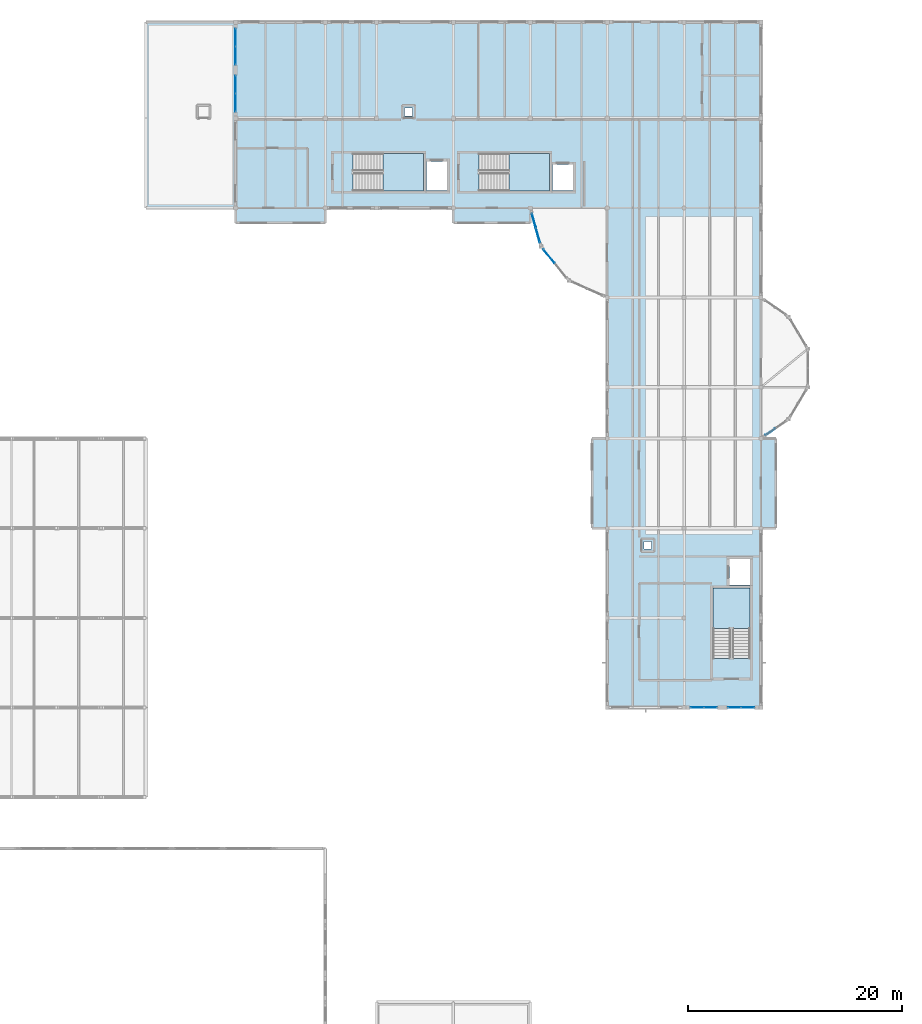
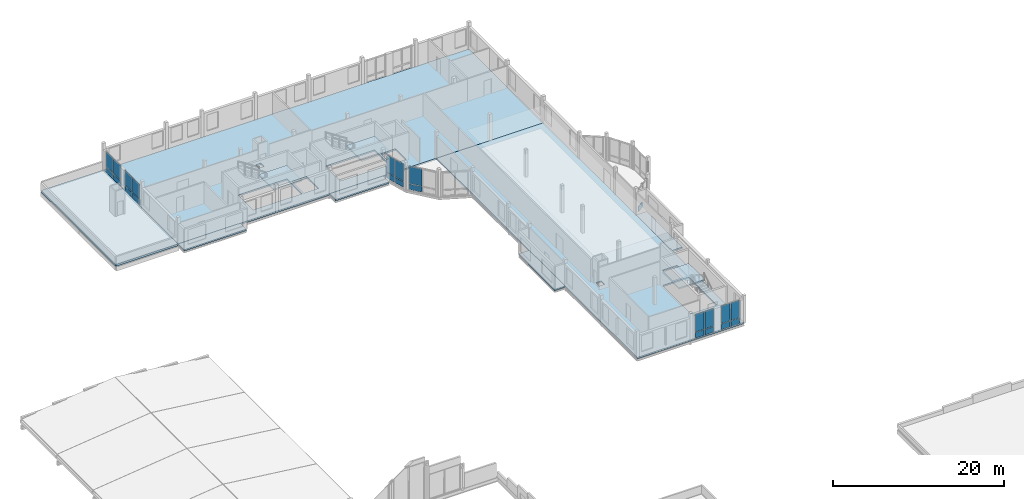
# One storey, part 21 of 34: 23 plates, 10 slabs, 10 elements without a shape of their own.
"""IFC4 building model written with IfcOpenShell, lengths in metres."""

from ifc_helpers import new_model, si_unit, direction, frame, origin, origin_2d, place, context, subcontext, project, spatial, polyline, rectangle, outline, extrude, material, layer, layer_set, type_object, element, aggregate, save


model = new_model("IFC4")

# Units and contexts
model_context = context("Model", 3, precision=1e-05, world=origin(), true_north=direction((0.0, 1.0)))
body_context = subcontext(model_context, "Body", "Model", "MODEL_VIEW")
ifc_project = project(units=[si_unit("LENGTHUNIT", "METRE"), si_unit("AREAUNIT", "SQUARE_METRE"), si_unit("VOLUMEUNIT", "CUBIC_METRE"), si_unit("PLANEANGLEUNIT", "RADIAN"), si_unit("MASSUNIT", "GRAM", prefix="KILO")], contexts=[model_context])

# Site, building, storey
site_placement = place(None, origin())
site = spatial("IfcSite", under=ifc_project, at=site_placement, CompositionType="ELEMENT")
building_placement = place(site_placement, origin())
building = spatial("IfcBuilding", under=site, at=building_placement, Name="Kahlenmark Community Centre", CompositionType="ELEMENT")
storey_placement = place(building_placement, frame((0.0, 0.0, 17.699951171875)))
storey = spatial("IfcBuildingStorey", under=building, at=storey_placement, Name="L04", CompositionType="ELEMENT", Elevation=17.699951171875)

# Curtain wall, plates
ifc_material_1 = material(Name="Anodised aluminium unitised curtain wall", Category="aluminium")
curtain_wall_type_1 = type_object("IfcCurtainWallType", Name="CWT-UNIT-254X342", PredefinedType="USERDEFINED", material=ifc_material_1)
curtain_wall_1_placement = place(storey_placement, origin())
curtain_wall_1 = element("IfcCurtainWall", 1, at=curtain_wall_1_placement, inside=storey, type_object=curtain_wall_type_1, Name="Unitised curtain wall CW-137", ObjectType="UNITISED CURTAIN WALL", PredefinedType="USERDEFINED")
ifc_material_2 = material(Name="Triple low-e solar-control glass unit", Category="glass")
ifc_layer_1 = layer(ifc_material_2, 0.0439453125)
ifc_layer_set_1 = layer_set([ifc_layer_1], Name="Triple low-e solar-control glass unit")
plate_type_1 = type_object("IfcPlateType", Name="PLT-CW-GLZ-1190X2490", PredefinedType="CURTAIN_PANEL", material=ifc_layer_set_1)
plate_1_placement = place(storey_placement, frame((80.81494140625, 50.800048828125, 0.89013671875), z_axis=(0.0, 0.0, 1.0), x_axis=(1.0, 0.0, 0.0)))
plate_1 = element("IfcPlate", 2, at=plate_1_placement, type_object=plate_type_1, Name="CW-137 glazed panel 1", PredefinedType="CURTAIN_PANEL", context=body_context, shape_type="SweptSolid", body=[
    extrude(rectangle(XDim=1.18994140625, YDim=0.0439453125, at=origin_2d()), origin(), (0.0, 0.0, 1.0), 2.489990234375),
])
plate_2_placement = place(storey_placement, frame((82.0849609375, 50.800048828125, 0.89013671875), z_axis=(0.0, 0.0, 1.0), x_axis=(1.0, 0.0, 0.0)))
plate_2 = element("IfcPlate", 3, at=plate_2_placement, type_object=plate_type_1, Name="CW-137 glazed panel 2", PredefinedType="CURTAIN_PANEL", context=body_context, shape_type="SweptSolid", body=[
    extrude(rectangle(XDim=1.18994140625, YDim=0.0439453125, at=origin_2d()), origin(), (0.0, 0.0, 1.0), 2.489990234375),
])

curtain_wall_2_placement = place(storey_placement, origin())
curtain_wall_2 = element("IfcCurtainWall", 4, at=curtain_wall_2_placement, inside=storey, type_object=curtain_wall_type_1, Name="Unitised curtain wall CW-138", ObjectType="UNITISED CURTAIN WALL", PredefinedType="USERDEFINED")
plate_3_placement = place(storey_placement, frame((84.31494140625, 50.800048828125, 0.89013671875), z_axis=(0.0, 0.0, 1.0), x_axis=(1.0, 0.0, 0.0)))
plate_3 = element("IfcPlate", 5, at=plate_3_placement, type_object=plate_type_1, Name="CW-138 glazed panel 1", PredefinedType="CURTAIN_PANEL", context=body_context, shape_type="SweptSolid", body=[
    extrude(rectangle(XDim=1.18994140625, YDim=0.0439453125, at=origin_2d()), origin(), (0.0, 0.0, 1.0), 2.489990234375),
])
plate_4_placement = place(storey_placement, frame((85.5849609375, 50.800048828125, 0.89013671875), z_axis=(0.0, 0.0, 1.0), x_axis=(1.0, 0.0, 0.0)))
plate_4 = element("IfcPlate", 6, at=plate_4_placement, type_object=plate_type_1, Name="CW-138 glazed panel 2", PredefinedType="CURTAIN_PANEL", context=body_context, shape_type="SweptSolid", body=[
    extrude(rectangle(XDim=1.18994140625, YDim=0.0439453125, at=origin_2d()), origin(), (0.0, 0.0, 1.0), 2.489990234375),
])

curtain_wall_type_2 = type_object("IfcCurtainWallType", Name="CWT-UNIT-290X339", PredefinedType="USERDEFINED", material=ifc_material_1)
curtain_wall_3_placement = place(storey_placement, origin())
curtain_wall_3 = element("IfcCurtainWall", 7, at=curtain_wall_3_placement, inside=storey, type_object=curtain_wall_type_2, Name="Unitised curtain wall CW-185", ObjectType="UNITISED CURTAIN WALL", PredefinedType="USERDEFINED")
ifc_layer_2 = layer(ifc_material_2, 0.0439453125)
ifc_layer_set_2 = layer_set([ifc_layer_2], Name="Triple low-e solar-control glass unit")
plate_type_2 = type_object("IfcPlateType", Name="PLT-CW-GLZ-1368X2460", PredefinedType="CURTAIN_PANEL", material=ifc_layer_set_2)
plate_5_placement = place(storey_placement, frame((65.527587890625, 96.420654296875, 0.89013671875), z_axis=(0.0, 0.0, 1.0), x_axis=(0.26765376878, -0.963515158188, 0.0)))
plate_5 = element("IfcPlate", 8, at=plate_5_placement, type_object=plate_type_2, Name="CW-185 glazed panel 1", PredefinedType="CURTAIN_PANEL", context=body_context, shape_type="SweptSolid", body=[
    extrude(rectangle(XDim=1.3681640625, YDim=0.0439453125, at=origin_2d()), origin(), (0.0, 0.0, 1.0), 2.4599609375),
])
plate_6_placement = place(storey_placement, frame((65.915283203125, 95.025146484375, 0.89013671875), z_axis=(0.0, 0.0, 1.0), x_axis=(0.26765376878, -0.963515158188, 0.0)))
plate_6 = element("IfcPlate", 9, at=plate_6_placement, type_object=plate_type_2, Name="CW-185 glazed panel 2", PredefinedType="CURTAIN_PANEL", context=body_context, shape_type="SweptSolid", body=[
    extrude(rectangle(XDim=1.3681640625, YDim=0.0439453125, at=origin_2d()), origin(), (0.0, 0.0, 1.0), 2.4599609375),
])

curtain_wall_type_3 = type_object("IfcCurtainWallType", Name="CWT-UNIT-344X301", PredefinedType="USERDEFINED", material=ifc_material_1)
curtain_wall_4_placement = place(storey_placement, origin())
curtain_wall_4 = element("IfcCurtainWall", 10, at=curtain_wall_4_placement, inside=storey, type_object=curtain_wall_type_3, Name="Unitised curtain wall CW-135", ObjectType="UNITISED CURTAIN WALL", PredefinedType="USERDEFINED")
ifc_layer_3 = layer(ifc_material_2, 0.0439453125)
ifc_layer_set_3 = layer_set([ifc_layer_3], Name="Triple low-e solar-control glass unit")
plate_type_3 = type_object("IfcPlateType", Name="PLT-CW-GLZ-1640X2080", PredefinedType="CURTAIN_PANEL", material=ifc_layer_set_3)
plate_7_placement = place(storey_placement, frame((37.60009765625, 113.56005859375, 0.889892578125), z_axis=(0.0, 0.0, 1.0), x_axis=(0.0, -1.0, 0.0)))
plate_7 = element("IfcPlate", 11, at=plate_7_placement, type_object=plate_type_3, Name="CW-135 glazed panel 1", PredefinedType="CURTAIN_PANEL", context=body_context, shape_type="SweptSolid", body=[
    extrude(rectangle(XDim=1.639892578125, YDim=0.0439453125, at=origin_2d()), origin(), (0.0, 0.0, 1.0), 2.080078125),
])
plate_8_placement = place(storey_placement, frame((37.60009765625, 111.840087890625, 0.889892578125), z_axis=(0.0, 0.0, 1.0), x_axis=(0.0, -1.0, 0.0)))
plate_8 = element("IfcPlate", 12, at=plate_8_placement, type_object=plate_type_3, Name="CW-135 glazed panel 2", PredefinedType="CURTAIN_PANEL", context=body_context, shape_type="SweptSolid", body=[
    extrude(rectangle(XDim=1.639892578125, YDim=0.0439453125, at=origin_2d()), origin(), (0.0, 0.0, 1.0), 2.080078125),
])

curtain_wall_5_placement = place(storey_placement, origin())
curtain_wall_5 = element("IfcCurtainWall", 13, at=curtain_wall_5_placement, inside=storey, type_object=curtain_wall_type_3, Name="Unitised curtain wall CW-136", ObjectType="UNITISED CURTAIN WALL", PredefinedType="USERDEFINED")
plate_9_placement = place(storey_placement, frame((37.60009765625, 109.159912109375, 0.889892578125), z_axis=(0.0, 0.0, 1.0), x_axis=(0.0, -1.0, 0.0)))
plate_9 = element("IfcPlate", 14, at=plate_9_placement, type_object=plate_type_3, Name="CW-136 glazed panel 1", PredefinedType="CURTAIN_PANEL", context=body_context, shape_type="SweptSolid", body=[
    extrude(rectangle(XDim=1.639892578125, YDim=0.0439453125, at=origin_2d()), origin(), (0.0, 0.0, 1.0), 2.080078125),
])
plate_10_placement = place(storey_placement, frame((37.60009765625, 107.43994140625, 0.889892578125), z_axis=(0.0, 0.0, 1.0), x_axis=(0.0, -1.0, 0.0)))
plate_10 = element("IfcPlate", 15, at=plate_10_placement, type_object=plate_type_3, Name="CW-136 glazed panel 2", PredefinedType="CURTAIN_PANEL", context=body_context, shape_type="SweptSolid", body=[
    extrude(rectangle(XDim=1.639892578125, YDim=0.0439453125, at=origin_2d()), origin(), (0.0, 0.0, 1.0), 2.080078125),
])

# Curtain wall, plate
curtain_wall_type_4 = type_object("IfcCurtainWallType", Name="CWT-UNIT-344X339", PredefinedType="USERDEFINED", material=ifc_material_1)
curtain_wall_6_placement = place(storey_placement, origin())
curtain_wall_6 = element("IfcCurtainWall", 16, at=curtain_wall_6_placement, inside=storey, type_object=curtain_wall_type_4, Name="Unitised curtain wall CW-186", ObjectType="UNITISED CURTAIN WALL", PredefinedType="USERDEFINED")
ifc_layer_4 = layer(ifc_material_2, 0.0439453125)
ifc_layer_set_4 = layer_set([ifc_layer_4], Name="Triple low-e solar-control glass unit")
plate_type_4 = type_object("IfcPlateType", Name="PLT-CW-GLZ-1642X2460", PredefinedType="CURTAIN_PANEL", material=ifc_layer_set_4)
plate_11_placement = place(storey_placement, frame((66.957275390625, 93.068115234375, 0.89013671875), z_axis=(0.0, 0.0, 1.0), x_axis=(0.63059860029, -0.776109145231, 0.0)))
plate_11 = element("IfcPlate", 17, at=plate_11_placement, type_object=plate_type_4, Name="CW-186 glazed panel 1", PredefinedType="CURTAIN_PANEL", context=body_context, shape_type="SweptSolid", body=[
    extrude(rectangle(XDim=1.6416015625, YDim=0.0439453125, at=origin_2d()), origin(), (0.0, 0.0, 1.0), 2.4599609375),
])

curtain_wall_type_5 = type_object("IfcCurtainWallType", Name="CWT-UNIT-232X332", PredefinedType="USERDEFINED", material=ifc_material_1)
curtain_wall_7_placement = place(storey_placement, origin())
curtain_wall_7 = element("IfcCurtainWall", 18, at=curtain_wall_7_placement, inside=storey, type_object=curtain_wall_type_5, Name="Unitised curtain wall CW-166", ObjectType="UNITISED CURTAIN WALL", PredefinedType="USERDEFINED")
ifc_material_3 = material(Name="Warm terracotta insulated spandrel cassette", Category="masonry")
ifc_layer_5 = layer(ifc_material_3, 0.06005859375)
ifc_layer_set_5 = layer_set([ifc_layer_5], Name="Warm terracotta insulated spandrel cassette")
plate_type_5 = type_object("IfcPlateType", Name="PLT-CW-SPD-1081X770", PredefinedType="CURTAIN_PANEL", material=ifc_layer_set_5)
plate_12_placement = place(storey_placement, frame((87.6884765625, 76.614990234375, 0.0400390625), z_axis=(0.0, 0.0, 1.0), x_axis=(0.822190736534, 0.56921208065, 0.0)))
plate_12 = element("IfcPlate", 19, at=plate_12_placement, type_object=plate_type_5, Name="CW-166 spandrel 1", PredefinedType="CURTAIN_PANEL", context=body_context, shape_type="SweptSolid", body=[
    extrude(rectangle(XDim=1.081298828125, YDim=0.06005859375, at=origin_2d()), origin(), (0.0, 0.0, 1.0), 0.77001953125),
])
aggregate(curtain_wall_7, [plate_12])

# Plate
ifc_layer_6 = layer(ifc_material_3, 0.06005859375)
ifc_layer_set_6 = layer_set([ifc_layer_6], Name="Warm terracotta insulated spandrel cassette")
plate_type_6 = type_object("IfcPlateType", Name="PLT-CW-SPD-1190X770", PredefinedType="CURTAIN_PANEL", material=ifc_layer_set_6)
plate_13_placement = place(storey_placement, frame((80.81494140625, 50.800048828125, 0.0400390625), z_axis=(0.0, 0.0, 1.0), x_axis=(1.0, 0.0, 0.0)))
plate_13 = element("IfcPlate", 20, at=plate_13_placement, type_object=plate_type_6, Name="CW-137 spandrel 1", PredefinedType="CURTAIN_PANEL", context=body_context, shape_type="SweptSolid", body=[
    extrude(rectangle(XDim=1.18994140625, YDim=0.06005859375, at=origin_2d()), origin(), (0.0, 0.0, 1.0), 0.77001953125),
])

plate_14_placement = place(storey_placement, frame((82.0849609375, 50.800048828125, 0.0400390625), z_axis=(0.0, 0.0, 1.0), x_axis=(1.0, 0.0, 0.0)))
plate_14 = element("IfcPlate", 21, at=plate_14_placement, type_object=plate_type_6, Name="CW-137 spandrel 2", PredefinedType="CURTAIN_PANEL", context=body_context, shape_type="SweptSolid", body=[
    extrude(rectangle(XDim=1.18994140625, YDim=0.06005859375, at=origin_2d()), origin(), (0.0, 0.0, 1.0), 0.77001953125),
])

aggregate(curtain_wall_1, [plate_13, plate_1, plate_14, plate_2])

plate_15_placement = place(storey_placement, frame((84.31494140625, 50.800048828125, 0.0400390625), z_axis=(0.0, 0.0, 1.0), x_axis=(1.0, 0.0, 0.0)))
plate_15 = element("IfcPlate", 22, at=plate_15_placement, type_object=plate_type_6, Name="CW-138 spandrel 1", PredefinedType="CURTAIN_PANEL", context=body_context, shape_type="SweptSolid", body=[
    extrude(rectangle(XDim=1.18994140625, YDim=0.06005859375, at=origin_2d()), origin(), (0.0, 0.0, 1.0), 0.77001953125),
])

plate_16_placement = place(storey_placement, frame((85.5849609375, 50.800048828125, 0.0400390625), z_axis=(0.0, 0.0, 1.0), x_axis=(1.0, 0.0, 0.0)))
plate_16 = element("IfcPlate", 23, at=plate_16_placement, type_object=plate_type_6, Name="CW-138 spandrel 2", PredefinedType="CURTAIN_PANEL", context=body_context, shape_type="SweptSolid", body=[
    extrude(rectangle(XDim=1.18994140625, YDim=0.06005859375, at=origin_2d()), origin(), (0.0, 0.0, 1.0), 0.77001953125),
])

aggregate(curtain_wall_2, [plate_15, plate_3, plate_16, plate_4])

ifc_layer_7 = layer(ifc_material_3, 0.06005859375)
ifc_layer_set_7 = layer_set([ifc_layer_7], Name="Warm terracotta insulated spandrel cassette")
plate_type_7 = type_object("IfcPlateType", Name="PLT-CW-SPD-1368X770", PredefinedType="CURTAIN_PANEL", material=ifc_layer_set_7)
plate_17_placement = place(storey_placement, frame((65.527587890625, 96.420654296875, 0.0400390625), z_axis=(0.0, 0.0, 1.0), x_axis=(0.26765376878, -0.963515158188, 0.0)))
plate_17 = element("IfcPlate", 24, at=plate_17_placement, type_object=plate_type_7, Name="CW-185 spandrel 1", PredefinedType="CURTAIN_PANEL", context=body_context, shape_type="SweptSolid", body=[
    extrude(rectangle(XDim=1.3681640625, YDim=0.06005859375, at=origin_2d()), origin(), (0.0, 0.0, 1.0), 0.77001953125),
])

plate_18_placement = place(storey_placement, frame((65.915283203125, 95.025146484375, 0.0400390625), z_axis=(0.0, 0.0, 1.0), x_axis=(0.26765376878, -0.963515158188, 0.0)))
plate_18 = element("IfcPlate", 25, at=plate_18_placement, type_object=plate_type_7, Name="CW-185 spandrel 2", PredefinedType="CURTAIN_PANEL", context=body_context, shape_type="SweptSolid", body=[
    extrude(rectangle(XDim=1.3681640625, YDim=0.06005859375, at=origin_2d()), origin(), (0.0, 0.0, 1.0), 0.77001953125),
])

aggregate(curtain_wall_3, [plate_17, plate_5, plate_18, plate_6])

ifc_layer_8 = layer(ifc_material_3, 0.06005859375)
ifc_layer_set_8 = layer_set([ifc_layer_8], Name="Warm terracotta insulated spandrel cassette")
plate_type_8 = type_object("IfcPlateType", Name="PLT-CW-SPD-1640X770", PredefinedType="CURTAIN_PANEL", material=ifc_layer_set_8)
plate_19_placement = place(storey_placement, frame((37.60009765625, 113.56005859375, 0.0400390625), z_axis=(0.0, 0.0, 1.0), x_axis=(0.0, -1.0, 0.0)))
plate_19 = element("IfcPlate", 26, at=plate_19_placement, type_object=plate_type_8, Name="CW-135 spandrel 1", PredefinedType="CURTAIN_PANEL", context=body_context, shape_type="SweptSolid", body=[
    extrude(rectangle(XDim=1.639892578125, YDim=0.06005859375, at=origin_2d()), origin(), (0.0, 0.0, 1.0), 0.77001953125),
])

plate_20_placement = place(storey_placement, frame((37.60009765625, 111.840087890625, 0.0400390625), z_axis=(0.0, 0.0, 1.0), x_axis=(0.0, -1.0, 0.0)))
plate_20 = element("IfcPlate", 27, at=plate_20_placement, type_object=plate_type_8, Name="CW-135 spandrel 2", PredefinedType="CURTAIN_PANEL", context=body_context, shape_type="SweptSolid", body=[
    extrude(rectangle(XDim=1.639892578125, YDim=0.06005859375, at=origin_2d()), origin(), (0.0, 0.0, 1.0), 0.77001953125),
])

aggregate(curtain_wall_4, [plate_19, plate_7, plate_20, plate_8])

plate_21_placement = place(storey_placement, frame((37.60009765625, 109.159912109375, 0.0400390625), z_axis=(0.0, 0.0, 1.0), x_axis=(0.0, -1.0, 0.0)))
plate_21 = element("IfcPlate", 28, at=plate_21_placement, type_object=plate_type_8, Name="CW-136 spandrel 1", PredefinedType="CURTAIN_PANEL", context=body_context, shape_type="SweptSolid", body=[
    extrude(rectangle(XDim=1.639892578125, YDim=0.06005859375, at=origin_2d()), origin(), (0.0, 0.0, 1.0), 0.77001953125),
])

plate_22_placement = place(storey_placement, frame((37.60009765625, 107.43994140625, 0.0400390625), z_axis=(0.0, 0.0, 1.0), x_axis=(0.0, -1.0, 0.0)))
plate_22 = element("IfcPlate", 29, at=plate_22_placement, type_object=plate_type_8, Name="CW-136 spandrel 2", PredefinedType="CURTAIN_PANEL", context=body_context, shape_type="SweptSolid", body=[
    extrude(rectangle(XDim=1.639892578125, YDim=0.06005859375, at=origin_2d()), origin(), (0.0, 0.0, 1.0), 0.77001953125),
])

aggregate(curtain_wall_5, [plate_21, plate_9, plate_22, plate_10])

ifc_layer_9 = layer(ifc_material_3, 0.06005859375)
ifc_layer_set_9 = layer_set([ifc_layer_9], Name="Warm terracotta insulated spandrel cassette")
plate_type_9 = type_object("IfcPlateType", Name="PLT-CW-SPD-1642X770", PredefinedType="CURTAIN_PANEL", material=ifc_layer_set_9)
plate_23_placement = place(storey_placement, frame((66.957275390625, 93.068115234375, 0.0400390625), z_axis=(0.0, 0.0, 1.0), x_axis=(0.63059860029, -0.776109145231, 0.0)))
plate_23 = element("IfcPlate", 30, at=plate_23_placement, type_object=plate_type_9, Name="CW-186 spandrel 1", PredefinedType="CURTAIN_PANEL", context=body_context, shape_type="SweptSolid", body=[
    extrude(rectangle(XDim=1.6416015625, YDim=0.06005859375, at=origin_2d()), origin(), (0.0, 0.0, 1.0), 0.77001953125),
])

aggregate(curtain_wall_6, [plate_23, plate_11])

# Stair, slab
ifc_material_4 = material(Name="Concrete C35/45", Category="concrete")
stair_type_1 = type_object("IfcStairType", Name="STT-CORE-ST-04-177", PredefinedType="HALF_TURN_STAIR", material=ifc_material_4)
stair_1_placement = place(storey_placement, origin())
stair_1 = element("IfcStair", 31, at=stair_1_placement, inside=storey, type_object=stair_type_1, Name="L04 Core K4 Escape Stair ST-04", PredefinedType="HALF_TURN_STAIR")
ifc_layer_10 = layer(ifc_material_4, 0.199951171875)
ifc_layer_set_10 = layer_set([ifc_layer_10], Name="Concrete C35/45")
slab_type_1 = type_object("IfcSlabType", Name="SLT-CORE-200", PredefinedType="LANDING", material=ifc_layer_set_10)
slab_1_placement = place(storey_placement, frame((0.0, 0.0, 1.75)))
slab_1 = element("IfcSlab", 32, at=slab_1_placement, type_object=slab_type_1, Name="ST-04 landing 1", PredefinedType="LANDING", context=body_context, shape_type="SweptSolid", body=[
    extrude(outline(polyline([(51.39990234375, 99.199951171875), (55.199951171875, 99.199951171875), (55.199951171875, 102.699951171875), (51.39990234375, 102.699951171875), (51.39990234375, 99.199951171875)])), origin(), (0.0, 0.0, 1.0), 0.199951171875),
])
aggregate(stair_1, [slab_1])

stair_type_2 = type_object("IfcStairType", Name="STT-CORE-ST-05-177", PredefinedType="HALF_TURN_STAIR", material=ifc_material_4)
stair_2_placement = place(storey_placement, origin())
stair_2 = element("IfcStair", 33, at=stair_2_placement, inside=storey, type_object=stair_type_2, Name="L04 Core K5 Escape Stair ST-05", PredefinedType="HALF_TURN_STAIR")
slab_2_placement = place(storey_placement, frame((0.0, 0.0, 1.75)))
slab_2 = element("IfcSlab", 34, at=slab_2_placement, type_object=slab_type_1, Name="ST-05 landing 1", PredefinedType="LANDING", context=body_context, shape_type="SweptSolid", body=[
    extrude(outline(polyline([(63.199951171875, 99.199951171875), (67.0, 99.199951171875), (67.0, 102.699951171875), (63.199951171875, 102.699951171875), (63.199951171875, 99.199951171875)])), origin(), (0.0, 0.0, 1.0), 0.199951171875),
])
aggregate(stair_2, [slab_2])

stair_type_3 = type_object("IfcStairType", Name="STT-CORE-ST-06-177", PredefinedType="HALF_TURN_STAIR", material=ifc_material_4)
stair_3_placement = place(storey_placement, origin())
stair_3 = element("IfcStair", 35, at=stair_3_placement, inside=storey, type_object=stair_type_3, Name="L04 Core K6 Escape Stair ST-06", PredefinedType="HALF_TURN_STAIR")
slab_3_placement = place(storey_placement, frame((0.0, 0.0, 1.75)))
slab_3 = element("IfcSlab", 36, at=slab_3_placement, type_object=slab_type_1, Name="ST-06 landing 1", PredefinedType="LANDING", context=body_context, shape_type="SweptSolid", body=[
    extrude(outline(polyline([(85.800048828125, 58.199951171875), (85.800048828125, 62.0), (82.300048828125, 62.0), (82.300048828125, 58.199951171875), (85.800048828125, 58.199951171875)])), origin(), (0.0, 0.0, 1.0), 0.199951171875),
])
aggregate(stair_3, [slab_3])

# Slabs
ifc_material_5 = material(Name="Cross-laminated timber CLT C24", Category="wood")
ifc_layer_11 = layer(ifc_material_5, 0.199951171875)
ifc_layer_set_11 = layer_set([ifc_layer_11], Name="Cross-laminated timber CLT C24")
slab_type_2 = type_object("IfcSlabType", Name="ST-FL-CLT200", PredefinedType="FLOOR", material=ifc_layer_set_11)
slab_4_placement = place(storey_placement, frame((0.0, 0.0, -0.199951171875)))
element("IfcSlab", 37, at=slab_4_placement, inside=storey, type_object=slab_type_2, Name="L04 suspended floor slab V4C", PredefinedType="FLOOR", context=body_context, shape_type="SweptSolid", body=[
    extrude(outline(polyline([(72.39990234375, 50.800048828125), (86.800048828125, 50.800048828125), (86.800048828125, 97.60009765625), (72.39990234375, 97.60009765625), (72.39990234375, 50.800048828125)]), holes=[polyline([(82.305908203125, 55.406005859375), (85.7939453125, 55.406005859375), (85.7939453125, 61.993896484375), (82.305908203125, 61.993896484375), (82.305908203125, 55.406005859375)]), polyline([(83.845947265625, 62.256103515625), (85.7939453125, 62.256103515625), (85.7939453125, 64.7041015625), (83.845947265625, 64.7041015625), (83.845947265625, 62.256103515625)]), polyline([(75.825927734375, 65.6259765625), (76.573974609375, 65.6259765625), (76.573974609375, 66.3740234375), (75.825927734375, 66.3740234375), (75.825927734375, 65.6259765625)])]), origin(), (0.0, 0.0, 1.0), 0.199951171875),
])
slab_5_placement = place(storey_placement, frame((0.0, 0.0, -0.199951171875)))
element("IfcSlab", 38, at=slab_5_placement, inside=storey, type_object=slab_type_2, Name="L04 reading-room bay oriel ORI-E1", PredefinedType="FLOOR", context=body_context, shape_type="SweptSolid", body=[
    extrude(outline(polyline([(86.800048828125, 67.60009765625), (88.199951171875, 67.60009765625), (88.199951171875, 76.0), (86.800048828125, 76.0), (86.800048828125, 67.60009765625)])), origin(), (0.0, 0.0, 1.0), 0.199951171875),
])
slab_6_placement = place(storey_placement, frame((0.0, 0.0, -0.199951171875)))
element("IfcSlab", 39, at=slab_6_placement, inside=storey, type_object=slab_type_2, Name="L04 reading-room bay oriel ORI-S1", PredefinedType="FLOOR", context=body_context, shape_type="SweptSolid", body=[
    extrude(outline(polyline([(37.60009765625, 96.199951171875), (46.0, 96.199951171875), (46.0, 97.60009765625), (37.60009765625, 97.60009765625), (37.60009765625, 96.199951171875)])), origin(), (0.0, 0.0, 1.0), 0.199951171875),
])
slab_7_placement = place(storey_placement, frame((0.0, 0.0, -0.199951171875)))
element("IfcSlab", 40, at=slab_7_placement, inside=storey, type_object=slab_type_2, Name="L04 reading-room bay oriel ORI-S2", PredefinedType="FLOOR", context=body_context, shape_type="SweptSolid", body=[
    extrude(outline(polyline([(58.0, 96.199951171875), (65.199951171875, 96.199951171875), (65.199951171875, 97.60009765625), (58.0, 97.60009765625), (58.0, 96.199951171875)])), origin(), (0.0, 0.0, 1.0), 0.199951171875),
])
slab_8_placement = place(storey_placement, frame((0.0, 0.0, -0.199951171875)))
element("IfcSlab", 41, at=slab_8_placement, inside=storey, type_object=slab_type_2, Name="L04 reading-room bay oriel ORI-W1", PredefinedType="FLOOR", context=body_context, shape_type="SweptSolid", body=[
    extrude(outline(polyline([(71.0, 67.60009765625), (72.39990234375, 67.60009765625), (72.39990234375, 76.0), (71.0, 76.0), (71.0, 67.60009765625)])), origin(), (0.0, 0.0, 1.0), 0.199951171875),
])
ifc_layer_12 = layer(ifc_material_5, 0.219970703125)
ifc_layer_set_12 = layer_set([ifc_layer_12], Name="Cross-laminated timber CLT C24")
slab_type_3 = type_object("IfcSlabType", Name="ST-FL-CLT220", PredefinedType="FLOOR", material=ifc_layer_set_12)
slab_9_placement = place(storey_placement, frame((0.0, 0.0, -0.219970703125)))
element("IfcSlab", 42, at=slab_9_placement, inside=storey, type_object=slab_type_3, Name="L04 suspended floor slab V4N", PredefinedType="FLOOR", context=body_context, shape_type="SweptSolid", body=[
    extrude(outline(polyline([(37.60009765625, 97.60009765625), (86.800048828125, 97.60009765625), (86.800048828125, 115.0), (37.60009765625, 115.0), (37.60009765625, 97.60009765625)]), holes=[polyline([(48.60595703125, 99.2060546875), (55.194091796875, 99.2060546875), (55.194091796875, 102.694091796875), (48.60595703125, 102.694091796875), (48.60595703125, 99.2060546875)]), polyline([(60.406005859375, 99.2060546875), (66.993896484375, 99.2060546875), (66.993896484375, 102.694091796875), (60.406005859375, 102.694091796875), (60.406005859375, 99.2060546875)]), polyline([(55.4560546875, 99.2060546875), (57.404052734375, 99.2060546875), (57.404052734375, 101.9541015625), (55.4560546875, 101.9541015625), (55.4560546875, 99.2060546875)]), polyline([(67.256103515625, 99.2060546875), (69.2041015625, 99.2060546875), (69.2041015625, 101.654052734375), (67.256103515625, 101.654052734375), (67.256103515625, 99.2060546875)]), polyline([(53.426025390625, 106.22607421875), (54.174072265625, 106.22607421875), (54.174072265625, 106.97412109375), (53.426025390625, 106.97412109375), (53.426025390625, 106.22607421875)])]), origin(), (0.0, 0.0, 1.0), 0.219970703125),
])
ifc_layer_13 = layer(ifc_material_5, 0.280029296875)
ifc_layer_set_13 = layer_set([ifc_layer_13], Name="Cross-laminated timber CLT C24")
slab_type_4 = type_object("IfcSlabType", Name="ST-RF-FLAT280", PredefinedType="ROOF", material=ifc_layer_set_13)
slab_10_placement = place(storey_placement, frame((0.0, 0.0, -0.280029296875)))
element("IfcSlab", 43, at=slab_10_placement, inside=storey, type_object=slab_type_4, Name="Flat insulated roof deck RF-L04-V4NMID0", PredefinedType="ROOF", context=body_context, shape_type="SweptSolid", body=[
    extrude(outline(polyline([(29.199951171875, 97.60009765625), (37.60009765625, 97.60009765625), (37.60009765625, 115.0), (29.199951171875, 115.0), (29.199951171875, 97.60009765625)])), origin(), (0.0, 0.0, 1.0), 0.280029296875),
])

save(model, "model.ifc")
